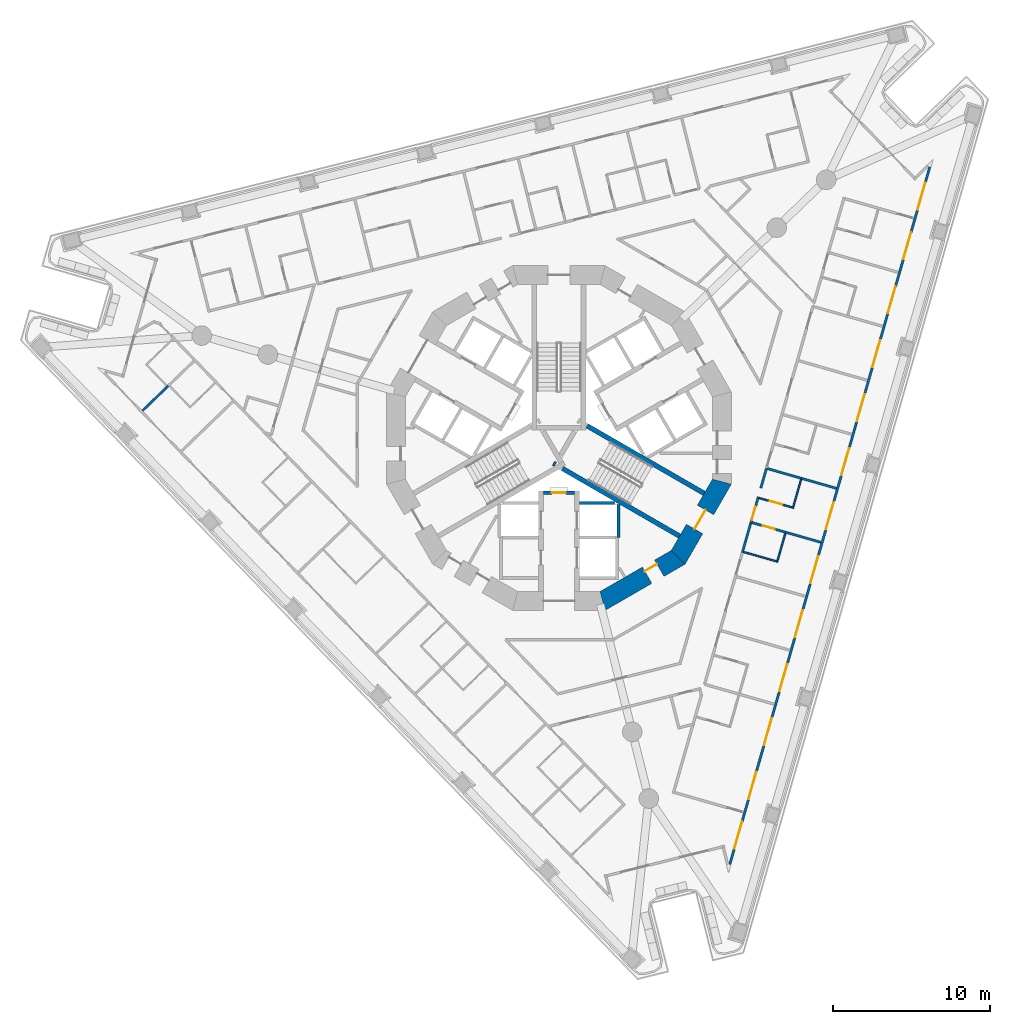
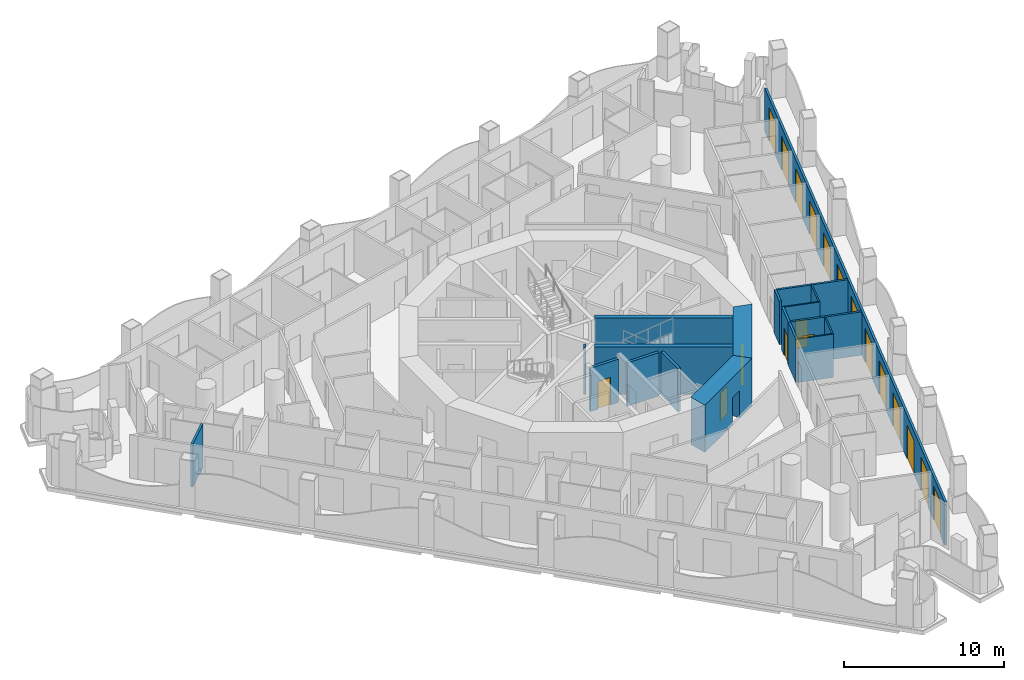
# One storey, part 5 of 19: 20 walls, 19 doors, 19 openings.
"""IFC4 building model written with IfcOpenShell, lengths in metres."""

from ifc_helpers import new_model, si_unit, direction, frame, frame_2d, origin, place, context, subcontext, project, spatial, polyline, rectangle, outline, extrude, material, layer, layer_set, type_object, element, fill, save


model = new_model("IFC4")

# Units and contexts
model_context = context("Model", 3, precision=1e-05, world=origin(), true_north=direction((0.0, 1.0)))
body_context = subcontext(model_context, "Body", "Model", "MODEL_VIEW")
ifc_project = project(units=[si_unit("LENGTHUNIT", "METRE"), si_unit("AREAUNIT", "SQUARE_METRE"), si_unit("VOLUMEUNIT", "CUBIC_METRE"), si_unit("PLANEANGLEUNIT", "RADIAN"), si_unit("MASSUNIT", "GRAM", prefix="KILO")], contexts=[model_context])

# Site, building, storey
site_placement = place(None, origin())
site = spatial("IfcSite", under=ifc_project, at=site_placement, CompositionType="ELEMENT")
building_placement = place(site_placement, origin())
building = spatial("IfcBuilding", under=site, at=building_placement, Name="Trine Commons Tower", CompositionType="ELEMENT")
storey_placement = place(building_placement, frame((0.0, 0.0, 98.10009765625)))
storey = spatial("IfcBuildingStorey", under=building, at=storey_placement, Name="L24", CompositionType="ELEMENT", Elevation=98.10009765625)

# Wall, openings, doors
ifc_material_1 = material(Name="Aluminium-framed insulated wall panel", Category="aluminium")
ifc_layer_1 = layer(ifc_material_1, 0.14990234375)
ifc_layer_set_1 = layer_set([ifc_layer_1], Name="Aluminium-framed insulated wall panel")
wall_type_1 = type_object("IfcWallType", Name="Glazed frame wall 150, EI 60", PredefinedType="SOLIDWALL", material=ifc_layer_set_1)
wall_1_placement = place(storey_placement, frame((103.735107421875, 79.95703125, 0.0), z_axis=(0.0, 0.0, 1.0), x_axis=(-0.275637625225, -0.961261618687, 0.0)))
wall_1 = element("IfcWall", 1, at=wall_1_placement, inside=storey, type_object=wall_type_1, Name="Glazed frame wall F2", PredefinedType="SOLIDWALL", context=body_context, shape_type="SweptSolid", body=[
    extrude(outline(polyline([(0.1494140625, 0.074951171875), (0.1494140625, -0.074951171875), (46.496826171875, -0.074951171875), (46.496826171875, 0.074951171875), (0.1494140625, 0.074951171875)])), origin(), (0.0, 0.0, 1.0), 3.2998046875),
])
opening_1_placement = place(wall_1_placement, frame((1.194091796875, 0.0, 0.0)))
opening_1 = element("IfcOpeningElement", 2, at=opening_1_placement, cuts=wall_1, Name="Opening BD-3F2-01", PredefinedType="OPENING", context=body_context, shape_type="SweptSolid", body=[
    extrude(rectangle(XDim=1.800048828125, YDim=2.60009765625, at=frame_2d((0.89990234375, 1.300048828125))), frame((0.0, 0.0849609375, 0.0), z_axis=(0.0, -1.0, 0.0), x_axis=(1.0, 0.0, 0.0)), (0.0, 0.0, 1.0), 0.169921875),
])
opening_2_placement = place(wall_1_placement, frame((4.482421875, 0.0, 0.0)))
opening_2 = element("IfcOpeningElement", 3, at=opening_2_placement, cuts=wall_1, Name="Opening BD-3F2-02", PredefinedType="OPENING", context=body_context, shape_type="SweptSolid", body=[
    extrude(rectangle(XDim=1.800048828125, YDim=2.60009765625, at=frame_2d((0.89990234375, 1.300048828125))), frame((0.0, 0.0849609375, 0.0), z_axis=(0.0, -1.0, 0.0), x_axis=(1.0, 0.0, 0.0)), (0.0, 0.0, 1.0), 0.169921875),
])
opening_3_placement = place(wall_1_placement, frame((8.070556640625, 0.0, 0.0)))
opening_3 = element("IfcOpeningElement", 4, at=opening_3_placement, cuts=wall_1, Name="Opening BD-3F2-03", PredefinedType="OPENING", context=body_context, shape_type="SweptSolid", body=[
    extrude(rectangle(XDim=1.800048828125, YDim=2.60009765625, at=frame_2d((0.89990234375, 1.300048828125))), frame((0.0, 0.0849609375, 0.0), z_axis=(0.0, -1.0, 0.0), x_axis=(1.0, 0.0, 0.0)), (0.0, 0.0, 1.0), 0.169921875),
])
opening_4_placement = place(wall_1_placement, frame((11.65869140625, 0.0, 0.0)))
opening_4 = element("IfcOpeningElement", 5, at=opening_4_placement, cuts=wall_1, Name="Opening BD-3F2-04", PredefinedType="OPENING", context=body_context, shape_type="SweptSolid", body=[
    extrude(rectangle(XDim=1.800048828125, YDim=2.60009765625, at=frame_2d((0.89990234375, 1.300048828125))), frame((0.0, 0.0849609375, 0.0), z_axis=(0.0, -1.0, 0.0), x_axis=(1.0, 0.0, 0.0)), (0.0, 0.0, 1.0), 0.169921875),
])
opening_5_placement = place(wall_1_placement, frame((15.246826171875, 0.0, 0.0)))
opening_5 = element("IfcOpeningElement", 6, at=opening_5_placement, cuts=wall_1, Name="Opening BD-3F2-05", PredefinedType="OPENING", context=body_context, shape_type="SweptSolid", body=[
    extrude(rectangle(XDim=1.800048828125, YDim=2.60009765625, at=frame_2d((0.89990234375, 1.300048828125))), frame((0.0, 0.0849609375, 0.0), z_axis=(0.0, -1.0, 0.0), x_axis=(1.0, 0.0, 0.0)), (0.0, 0.0, 1.0), 0.169921875),
])
opening_6_placement = place(wall_1_placement, frame((18.835205078125, 0.0, 0.0)))
opening_6 = element("IfcOpeningElement", 7, at=opening_6_placement, cuts=wall_1, Name="Opening BD-3F2-06", PredefinedType="OPENING", context=body_context, shape_type="SweptSolid", body=[
    extrude(rectangle(XDim=1.800048828125, YDim=2.60009765625, at=frame_2d((0.89990234375, 1.300048828125))), frame((0.0, 0.0849609375, 0.0), z_axis=(0.0, -1.0, 0.0), x_axis=(1.0, 0.0, 0.0)), (0.0, 0.0, 1.0), 0.169921875),
])
opening_7_placement = place(wall_1_placement, frame((22.42333984375, 0.0, 0.0)))
opening_7 = element("IfcOpeningElement", 8, at=opening_7_placement, cuts=wall_1, Name="Opening BD-3F2-07", PredefinedType="OPENING", context=body_context, shape_type="SweptSolid", body=[
    extrude(rectangle(XDim=1.800048828125, YDim=2.60009765625, at=frame_2d((0.89990234375, 1.300048828125))), frame((0.0, 0.0849609375, 0.0), z_axis=(0.0, -1.0, 0.0), x_axis=(1.0, 0.0, 0.0)), (0.0, 0.0, 1.0), 0.169921875),
])
opening_8_placement = place(wall_1_placement, frame((26.011474609375, 0.0, 0.0)))
opening_8 = element("IfcOpeningElement", 9, at=opening_8_placement, cuts=wall_1, Name="Opening BD-3F2-08", PredefinedType="OPENING", context=body_context, shape_type="SweptSolid", body=[
    extrude(rectangle(XDim=1.800048828125, YDim=2.60009765625, at=frame_2d((0.89990234375, 1.300048828125))), frame((0.0, 0.0849609375, 0.0), z_axis=(0.0, -1.0, 0.0), x_axis=(1.0, 0.0, 0.0)), (0.0, 0.0, 1.0), 0.169921875),
])
opening_9_placement = place(wall_1_placement, frame((29.599609375, 0.0, 0.0)))
opening_9 = element("IfcOpeningElement", 10, at=opening_9_placement, cuts=wall_1, Name="Opening BD-3F2-09", PredefinedType="OPENING", context=body_context, shape_type="SweptSolid", body=[
    extrude(rectangle(XDim=1.800048828125, YDim=2.60009765625, at=frame_2d((0.89990234375, 1.300048828125))), frame((0.0, 0.0849609375, 0.0), z_axis=(0.0, -1.0, 0.0), x_axis=(1.0, 0.0, 0.0)), (0.0, 0.0, 1.0), 0.169921875),
])
opening_10_placement = place(wall_1_placement, frame((33.18798828125, 0.0, 0.0)))
opening_10 = element("IfcOpeningElement", 11, at=opening_10_placement, cuts=wall_1, Name="Opening BD-3F2-10", PredefinedType="OPENING", context=body_context, shape_type="SweptSolid", body=[
    extrude(rectangle(XDim=1.800048828125, YDim=2.60009765625, at=frame_2d((0.89990234375, 1.300048828125))), frame((0.0, 0.0849609375, 0.0), z_axis=(0.0, -1.0, 0.0), x_axis=(1.0, 0.0, 0.0)), (0.0, 0.0, 1.0), 0.169921875),
])
opening_11_placement = place(wall_1_placement, frame((36.776123046875, 0.0, 0.0)))
opening_11 = element("IfcOpeningElement", 12, at=opening_11_placement, cuts=wall_1, Name="Opening BD-3F2-11", PredefinedType="OPENING", context=body_context, shape_type="SweptSolid", body=[
    extrude(rectangle(XDim=1.800048828125, YDim=2.60009765625, at=frame_2d((0.89990234375, 1.300048828125))), frame((0.0, 0.0849609375, 0.0), z_axis=(0.0, -1.0, 0.0), x_axis=(1.0, 0.0, 0.0)), (0.0, 0.0, 1.0), 0.169921875),
])
opening_12_placement = place(wall_1_placement, frame((40.3642578125, 0.0, 0.0)))
opening_12 = element("IfcOpeningElement", 13, at=opening_12_placement, cuts=wall_1, Name="Opening BD-3F2-12", PredefinedType="OPENING", context=body_context, shape_type="SweptSolid", body=[
    extrude(rectangle(XDim=1.800048828125, YDim=2.60009765625, at=frame_2d((0.89990234375, 1.300048828125))), frame((0.0, 0.0849609375, 0.0), z_axis=(0.0, -1.0, 0.0), x_axis=(1.0, 0.0, 0.0)), (0.0, 0.0, 1.0), 0.169921875),
])
opening_13_placement = place(wall_1_placement, frame((43.652587890625, 0.0, 0.0)))
opening_13 = element("IfcOpeningElement", 14, at=opening_13_placement, cuts=wall_1, Name="Opening BD-3F2-13", PredefinedType="OPENING", context=body_context, shape_type="SweptSolid", body=[
    extrude(rectangle(XDim=1.800048828125, YDim=2.60009765625, at=frame_2d((0.89990234375, 1.300048828125))), frame((0.0, 0.0849609375, 0.0), z_axis=(0.0, -1.0, 0.0), x_axis=(1.0, 0.0, 0.0)), (0.0, 0.0, 1.0), 0.169921875),
])
ifc_material_2 = material(Name="Anodised aluminium frame with double glazing", Category="aluminium")
door_type_1 = type_object("IfcDoorType", Name="Sliding loggia door 1800x2600", OperationType="SLIDING_TO_LEFT", PredefinedType="DOOR", material=ifc_material_2)
door_1_placement = place(opening_1_placement, origin())
door_1 = element("IfcDoor", 15, at=door_1_placement, inside=storey, type_object=door_type_1, Name="Loggia door F2 1", OperationType="SLIDING_TO_LEFT", OverallHeight=2.60009765625, OverallWidth=1.800048828125, PredefinedType="DOOR", context=body_context, shape_type="SweptSolid", body=[
    extrude(rectangle(XDim=1.800048828125, YDim=2.60009765625, at=frame_2d((0.89990234375, 1.300048828125))), frame((0.0, 0.02490234375, 0.0), z_axis=(0.0, -1.0, 0.0), x_axis=(1.0, 0.0, 0.0)), (0.0, 0.0, 1.0), 0.050048828125),
])
fill(opening_1, door_1)
door_2_placement = place(opening_2_placement, origin())
door_2 = element("IfcDoor", 16, at=door_2_placement, inside=storey, type_object=door_type_1, Name="Loggia door F2 2", OperationType="SLIDING_TO_LEFT", OverallHeight=2.60009765625, OverallWidth=1.800048828125, PredefinedType="DOOR", context=body_context, shape_type="SweptSolid", body=[
    extrude(rectangle(XDim=1.800048828125, YDim=2.60009765625, at=frame_2d((0.89990234375, 1.300048828125))), frame((0.0, 0.02490234375, 0.0), z_axis=(0.0, -1.0, 0.0), x_axis=(1.0, 0.0, 0.0)), (0.0, 0.0, 1.0), 0.050048828125),
])
fill(opening_2, door_2)
door_3_placement = place(opening_3_placement, origin())
door_3 = element("IfcDoor", 17, at=door_3_placement, inside=storey, type_object=door_type_1, Name="Loggia door F2 3", OperationType="SLIDING_TO_LEFT", OverallHeight=2.60009765625, OverallWidth=1.800048828125, PredefinedType="DOOR", context=body_context, shape_type="SweptSolid", body=[
    extrude(rectangle(XDim=1.800048828125, YDim=2.60009765625, at=frame_2d((0.89990234375, 1.300048828125))), frame((0.0, 0.02490234375, 0.0), z_axis=(0.0, -1.0, 0.0), x_axis=(1.0, 0.0, 0.0)), (0.0, 0.0, 1.0), 0.050048828125),
])
fill(opening_3, door_3)
door_4_placement = place(opening_4_placement, origin())
door_4 = element("IfcDoor", 18, at=door_4_placement, inside=storey, type_object=door_type_1, Name="Loggia door F2 4", OperationType="SLIDING_TO_LEFT", OverallHeight=2.60009765625, OverallWidth=1.800048828125, PredefinedType="DOOR", context=body_context, shape_type="SweptSolid", body=[
    extrude(rectangle(XDim=1.800048828125, YDim=2.60009765625, at=frame_2d((0.89990234375, 1.300048828125))), frame((0.0, 0.02490234375, 0.0), z_axis=(0.0, -1.0, 0.0), x_axis=(1.0, 0.0, 0.0)), (0.0, 0.0, 1.0), 0.050048828125),
])
fill(opening_4, door_4)
door_5_placement = place(opening_5_placement, origin())
door_5 = element("IfcDoor", 19, at=door_5_placement, inside=storey, type_object=door_type_1, Name="Loggia door F2 5", OperationType="SLIDING_TO_LEFT", OverallHeight=2.60009765625, OverallWidth=1.800048828125, PredefinedType="DOOR", context=body_context, shape_type="SweptSolid", body=[
    extrude(rectangle(XDim=1.800048828125, YDim=2.60009765625, at=frame_2d((0.89990234375, 1.300048828125))), frame((0.0, 0.02490234375, 0.0), z_axis=(0.0, -1.0, 0.0), x_axis=(1.0, 0.0, 0.0)), (0.0, 0.0, 1.0), 0.050048828125),
])
fill(opening_5, door_5)
door_6_placement = place(opening_6_placement, origin())
door_6 = element("IfcDoor", 20, at=door_6_placement, inside=storey, type_object=door_type_1, Name="Loggia door F2 6", OperationType="SLIDING_TO_LEFT", OverallHeight=2.60009765625, OverallWidth=1.800048828125, PredefinedType="DOOR", context=body_context, shape_type="SweptSolid", body=[
    extrude(rectangle(XDim=1.800048828125, YDim=2.60009765625, at=frame_2d((0.89990234375, 1.300048828125))), frame((0.0, 0.02490234375, 0.0), z_axis=(0.0, -1.0, 0.0), x_axis=(1.0, 0.0, 0.0)), (0.0, 0.0, 1.0), 0.050048828125),
])
fill(opening_6, door_6)
door_7_placement = place(opening_7_placement, origin())
door_7 = element("IfcDoor", 21, at=door_7_placement, inside=storey, type_object=door_type_1, Name="Loggia door F2 7", OperationType="SLIDING_TO_LEFT", OverallHeight=2.60009765625, OverallWidth=1.800048828125, PredefinedType="DOOR", context=body_context, shape_type="SweptSolid", body=[
    extrude(rectangle(XDim=1.800048828125, YDim=2.60009765625, at=frame_2d((0.89990234375, 1.300048828125))), frame((0.0, 0.02490234375, 0.0), z_axis=(0.0, -1.0, 0.0), x_axis=(1.0, 0.0, 0.0)), (0.0, 0.0, 1.0), 0.050048828125),
])
fill(opening_7, door_7)
door_8_placement = place(opening_8_placement, origin())
door_8 = element("IfcDoor", 22, at=door_8_placement, inside=storey, type_object=door_type_1, Name="Loggia door F2 8", OperationType="SLIDING_TO_LEFT", OverallHeight=2.60009765625, OverallWidth=1.800048828125, PredefinedType="DOOR", context=body_context, shape_type="SweptSolid", body=[
    extrude(rectangle(XDim=1.800048828125, YDim=2.60009765625, at=frame_2d((0.89990234375, 1.300048828125))), frame((0.0, 0.02490234375, 0.0), z_axis=(0.0, -1.0, 0.0), x_axis=(1.0, 0.0, 0.0)), (0.0, 0.0, 1.0), 0.050048828125),
])
fill(opening_8, door_8)
door_9_placement = place(opening_9_placement, origin())
door_9 = element("IfcDoor", 23, at=door_9_placement, inside=storey, type_object=door_type_1, Name="Loggia door F2 9", OperationType="SLIDING_TO_LEFT", OverallHeight=2.60009765625, OverallWidth=1.800048828125, PredefinedType="DOOR", context=body_context, shape_type="SweptSolid", body=[
    extrude(rectangle(XDim=1.800048828125, YDim=2.60009765625, at=frame_2d((0.89990234375, 1.300048828125))), frame((0.0, 0.02490234375, 0.0), z_axis=(0.0, -1.0, 0.0), x_axis=(1.0, 0.0, 0.0)), (0.0, 0.0, 1.0), 0.050048828125),
])
fill(opening_9, door_9)
door_10_placement = place(opening_10_placement, origin())
door_10 = element("IfcDoor", 24, at=door_10_placement, inside=storey, type_object=door_type_1, Name="Loggia door F2 10", OperationType="SLIDING_TO_LEFT", OverallHeight=2.60009765625, OverallWidth=1.800048828125, PredefinedType="DOOR", context=body_context, shape_type="SweptSolid", body=[
    extrude(rectangle(XDim=1.800048828125, YDim=2.60009765625, at=frame_2d((0.89990234375, 1.300048828125))), frame((0.0, 0.02490234375, 0.0), z_axis=(0.0, -1.0, 0.0), x_axis=(1.0, 0.0, 0.0)), (0.0, 0.0, 1.0), 0.050048828125),
])
fill(opening_10, door_10)
door_11_placement = place(opening_11_placement, origin())
door_11 = element("IfcDoor", 25, at=door_11_placement, inside=storey, type_object=door_type_1, Name="Loggia door F2 11", OperationType="SLIDING_TO_LEFT", OverallHeight=2.60009765625, OverallWidth=1.800048828125, PredefinedType="DOOR", context=body_context, shape_type="SweptSolid", body=[
    extrude(rectangle(XDim=1.800048828125, YDim=2.60009765625, at=frame_2d((0.89990234375, 1.300048828125))), frame((0.0, 0.02490234375, 0.0), z_axis=(0.0, -1.0, 0.0), x_axis=(1.0, 0.0, 0.0)), (0.0, 0.0, 1.0), 0.050048828125),
])
fill(opening_11, door_11)
door_12_placement = place(opening_12_placement, origin())
door_12 = element("IfcDoor", 26, at=door_12_placement, inside=storey, type_object=door_type_1, Name="Loggia door F2 12", OperationType="SLIDING_TO_LEFT", OverallHeight=2.60009765625, OverallWidth=1.800048828125, PredefinedType="DOOR", context=body_context, shape_type="SweptSolid", body=[
    extrude(rectangle(XDim=1.800048828125, YDim=2.60009765625, at=frame_2d((0.89990234375, 1.300048828125))), frame((0.0, 0.02490234375, 0.0), z_axis=(0.0, -1.0, 0.0), x_axis=(1.0, 0.0, 0.0)), (0.0, 0.0, 1.0), 0.050048828125),
])
fill(opening_12, door_12)
door_13_placement = place(opening_13_placement, origin())
door_13 = element("IfcDoor", 27, at=door_13_placement, inside=storey, type_object=door_type_1, Name="Loggia door F2 13", OperationType="SLIDING_TO_LEFT", OverallHeight=2.60009765625, OverallWidth=1.800048828125, PredefinedType="DOOR", context=body_context, shape_type="SweptSolid", body=[
    extrude(rectangle(XDim=1.800048828125, YDim=2.60009765625, at=frame_2d((0.89990234375, 1.300048828125))), frame((0.0, 0.02490234375, 0.0), z_axis=(0.0, -1.0, 0.0), x_axis=(1.0, 0.0, 0.0)), (0.0, 0.0, 1.0), 0.050048828125),
])
fill(opening_13, door_13)

# Wall, opening, door
ifc_material_3 = material(Name="Fire-rated gypsum shaft wall system")
ifc_layer_2 = layer(ifc_material_3, 0.199951171875)
ifc_layer_set_2 = layer_set([ifc_layer_2], Name="Fire-rated gypsum shaft wall system")
wall_type_2 = type_object("IfcWallType", Name="Lobby end wall 200 mm, EI 120", PredefinedType="PARTITIONING", material=ifc_layer_set_2)
wall_2_placement = place(storey_placement, frame((79.0, 59.0, 0.0), z_axis=(0.0, 0.0, 1.0), x_axis=(1.0, 0.0, 0.0)))
wall_2 = element("IfcWall", 28, at=wall_2_placement, inside=storey, type_object=wall_type_2, Name="Lobby end wall L24", PredefinedType="PARTITIONING", context=body_context, shape_type="SweptSolid", body=[
    extrude(rectangle(XDim=2.0, YDim=0.199951171875, at=frame_2d((1.0, 0.0))), origin(), (0.0, 0.0, 1.0), 3.2998046875),
])
opening_14_placement = place(wall_2_placement, frame((0.550048828125, 0.0, 0.0)))
opening_14 = element("IfcOpeningElement", 29, at=opening_14_placement, cuts=wall_2, Name="Opening K07.09", PredefinedType="OPENING", context=body_context, shape_type="SweptSolid", body=[
    extrude(rectangle(XDim=0.89990234375, YDim=2.10009765625, at=frame_2d((0.449951171875, 1.050048828125))), frame((0.0, 0.10986328125, 0.0), z_axis=(0.0, -1.0, 0.0), x_axis=(1.0, 0.0, 0.0)), (0.0, 0.0, 1.0), 0.219970703125),
])
ifc_material_4 = material(Name="Steel door leaf, fire-rated", Category="steel")
door_type_2 = type_object("IfcDoorType", Name="Riser access door, single leaf 900 x 2100, FD60", OperationType="SINGLE_SWING_LEFT", PredefinedType="DOOR", material=ifc_material_4)
door_14_placement = place(opening_14_placement, frame((0.89990234375, 0.0, 0.0), z_axis=(0.0, 0.0, 1.0), x_axis=(-1.0, 0.0, 0.0)))
door_14 = element("IfcDoor", 30, at=door_14_placement, inside=storey, type_object=door_type_2, Name="Riser door, Communications riser L24", OperationType="SINGLE_SWING_RIGHT", OverallHeight=2.10009765625, OverallWidth=0.89990234375, PredefinedType="DOOR", context=body_context, shape_type="SweptSolid", body=[
    extrude(rectangle(XDim=0.89990234375, YDim=2.10009765625, at=frame_2d((0.449951171875, 1.050048828125))), frame((0.0, 0.02490234375, 0.0), z_axis=(0.0, -1.0, 0.0), x_axis=(1.0, 0.0, 0.0)), (0.0, 0.0, 1.0), 0.050048828125),
])
fill(opening_14, door_14)

ifc_material_5 = material(Name="Concrete C70/85", Category="concrete")
ifc_layer_3 = layer(ifc_material_5, 1.199951171875)
ifc_layer_set_3 = layer_set([ifc_layer_3], Name="Concrete C70/85")
wall_type_3 = type_object("IfcWallType", Name="RC shear wall 1200 mm, C70/85", PredefinedType="SHEAR", material=ifc_layer_set_3)
wall_3_placement = place(storey_placement, frame((82.650390625, 52.008056640625, 0.0), z_axis=(0.0, 0.0, 1.0), x_axis=(0.866037463336, 0.499979111662, 0.0)))
wall_3 = element("IfcWall", 31, at=wall_3_placement, inside=storey, type_object=wall_type_3, Name="Core wall CWC-11 L24", PredefinedType="SHEAR", context=body_context, shape_type="SweptSolid", body=[
    extrude(outline(polyline([(0.0, -0.60009765625), (5.901123046875, -0.60009765625), (5.57958984375, 0.60009765625), (0.321533203125, 0.60009765625), (0.0, -0.60009765625)])), origin(), (0.0, 0.0, 1.0), 3.599853515625),
])
opening_15_placement = place(wall_3_placement, frame((3.44677734375, 0.0, 0.0)))
opening_15 = element("IfcOpeningElement", 32, at=opening_15_placement, cuts=wall_3, Name="Opening K07.17", PredefinedType="OPENING", context=body_context, shape_type="SweptSolid", body=[
    extrude(rectangle(XDim=0.89990234375, YDim=2.10009765625, at=frame_2d((0.449951171875, 1.050048828125))), frame((0.0, 0.60986328125, 0.0), z_axis=(0.0, -1.0, 0.0), x_axis=(1.0, 0.0, 0.0)), (0.0, 0.0, 1.0), 1.219970703125),
])
door_type_3 = type_object("IfcDoorType", Name="Core room door, single leaf 900 x 2100, FD30S", OperationType="SINGLE_SWING_LEFT", PredefinedType="DOOR", material=ifc_material_4)
door_15_placement = place(opening_15_placement, origin())
door_15 = element("IfcDoor", 33, at=door_15_placement, inside=storey, type_object=door_type_3, Name="Door to Pantry L24", OperationType="SINGLE_SWING_RIGHT", OverallHeight=2.10009765625, OverallWidth=0.89990234375, PredefinedType="DOOR", context=body_context, shape_type="SweptSolid", body=[
    extrude(rectangle(XDim=0.89990234375, YDim=2.10009765625, at=frame_2d((0.449951171875, 1.050048828125))), frame((0.0, 0.3251953125, 0.0), z_axis=(0.0, -1.0, 0.0), x_axis=(1.0, 0.0, 0.0)), (0.0, 0.0, 1.0), 0.050048828125),
])
fill(opening_15, door_15)

wall_4_placement = place(storey_placement, frame((87.54150390625, 54.739013671875, 0.0), z_axis=(0.0, 0.0, 1.0), x_axis=(0.499979111662, 0.866037463336, 0.0)))
wall_4 = element("IfcWall", 34, at=wall_4_placement, inside=storey, type_object=wall_type_3, Name="Core wall CWC-12 L24", PredefinedType="SHEAR", context=body_context, shape_type="SweptSolid", body=[
    extrude(outline(polyline([(0.0, -0.60009765625), (5.901123046875, -0.60009765625), (5.57958984375, 0.60009765625), (0.321533203125, 0.60009765625), (0.0, -0.60009765625)])), origin(), (0.0, 0.0, 1.0), 3.599853515625),
])
opening_16_placement = place(wall_4_placement, frame((2.25048828125, 0.0, 0.0)))
opening_16 = element("IfcOpeningElement", 35, at=opening_16_placement, cuts=wall_4, Name="Opening K07.03", PredefinedType="OPENING", context=body_context, shape_type="SweptSolid", body=[
    extrude(rectangle(XDim=1.39990234375, YDim=2.10009765625, at=frame_2d((0.699951171875, 1.050048828125))), frame((0.0, 0.60986328125, 0.0), z_axis=(0.0, -1.0, 0.0), x_axis=(1.0, 0.0, 0.0)), (0.0, 0.0, 1.0), 1.219970703125),
])
ifc_material_6 = material(Name="Steel door leaves, fire-rated", Category="steel")
door_type_4 = type_object("IfcDoorType", Name="Stair door, double leaf 1400 x 2100, FD90", OperationType="DOUBLE_DOOR_SINGLE_SWING", PredefinedType="DOOR", material=ifc_material_6)
door_16_placement = place(opening_16_placement, origin())
door_16 = element("IfcDoor", 36, at=door_16_placement, inside=storey, type_object=door_type_4, Name="Stair door to Exit stair ST3A L24", OperationType="DOUBLE_DOOR_SINGLE_SWING", OverallHeight=2.10009765625, OverallWidth=1.39990234375, PredefinedType="DOOR", context=body_context, shape_type="SweptSolid", body=[
    extrude(rectangle(XDim=1.39990234375, YDim=2.10009765625, at=frame_2d((0.699951171875, 1.050048828125))), frame((0.0, 0.02490234375, 0.0), z_axis=(0.0, -1.0, 0.0), x_axis=(1.0, 0.0, 0.0)), (0.0, 0.0, 1.0), 0.050048828125),
])
fill(opening_16, door_16)

# Walls
ifc_layer_4 = layer(ifc_material_5, 0.300048828125)
ifc_layer_set_4 = layer_set([ifc_layer_4], Name="Concrete C70/85")
wall_type_4 = type_object("IfcWallType", Name="RC shear wall 300 mm, C70/85", PredefinedType="SHEAR", material=ifc_layer_set_4)
wall_5_placement = place(storey_placement, frame((79.64599609375, 60.885986328125, 0.0), z_axis=(0.0, 0.0, 1.0), x_axis=(0.867331893649, -0.497730234424, 0.0)))
element("IfcWall", 37, at=wall_5_placement, inside=storey, type_object=wall_type_4, Name="Core cross wall SWA-11 L24", PredefinedType="SHEAR", context=body_context, shape_type="SweptSolid", body=[
    extrude(rectangle(XDim=0.148681640625, YDim=0.300048828125, at=frame_2d((0.07421875, 0.0))), origin(), (0.0, 0.0, 1.0), 3.599853515625),
])
for number, where, z_axis, x_axis, name in (
    (38, (80.22509765625, 60.552001953125, 0.0), (0.0, 0.0, 1.0), (0.865965399159, -0.500103916661, 0.0), "Core cross wall SWA-13 L24"),
    (39, (81.800048828125, 63.280029296875, 0.0), (0.0, 0.0, 1.0), (0.865965399159, -0.500103916661, 0.0), "Core cross wall SWA-18 L24"),
):
    element("IfcWall", number, at=place(storey_placement, frame(where, z_axis=z_axis, x_axis=x_axis)), inside=storey, type_object=wall_type_4, Name=name, PredefinedType="SHEAR", context=body_context, shape_type="SweptSolid", body=[
        extrude(rectangle(XDim=8.642333984375, YDim=0.300048828125, at=frame_2d((4.3212890625, 0.0))), origin(), (0.0, 0.0, 1.0), 3.599853515625),
    ])
ifc_layer_5 = layer(ifc_material_3, 0.199951171875)
ifc_layer_set_5 = layer_set([ifc_layer_5], Name="Fire-rated gypsum shaft wall system")
wall_type_5 = type_object("IfcWallType", Name="Shaft wall 200 mm, EI 120", PredefinedType="PARTITIONING", material=ifc_layer_set_5)
wall_6_placement = place(storey_placement, frame((81.300048828125, 58.35009765625, 0.0), z_axis=(0.0, 0.0, 1.0), x_axis=(1.0, 0.0, 0.0)))
element("IfcWall", 40, at=wall_6_placement, inside=storey, type_object=wall_type_5, Name="Shaft wall L24", PredefinedType="PARTITIONING", context=body_context, shape_type="SweptSolid", body=[
    extrude(rectangle(XDim=2.264892578125, YDim=0.199951171875, at=frame_2d((1.13232421875, 0.0))), origin(), (0.0, 0.0, 1.0), 3.2998046875),
])
wall_7_placement = place(storey_placement, frame((83.800048828125, 58.256103515625, 0.0), z_axis=(0.0, 0.0, 1.0), x_axis=(0.0, -1.0, 0.0)))
element("IfcWall", 41, at=wall_7_placement, inside=storey, type_object=wall_type_5, Name="Shaft wall L24", PredefinedType="PARTITIONING", context=body_context, shape_type="SweptSolid", body=[
    extrude(rectangle(XDim=2.106201171875, YDim=0.199951171875, at=frame_2d((1.05322265625, 0.0))), origin(), (0.0, 0.0, 1.0), 3.2998046875),
])
ifc_material_7 = material(Name="Gypsum plasterboard on steel stud", Category="steel")
ifc_layer_6 = layer(ifc_material_7, 0.14990234375)
ifc_layer_set_6 = layer_set([ifc_layer_6], Name="Gypsum plasterboard on steel stud")
wall_type_6 = type_object("IfcWallType", Name="Unit and corridor wall 150 mm, EI 60", PredefinedType="PARTITIONING", material=ifc_layer_set_6)
wall_8_placement = place(storey_placement, frame((53.393798828125, 64.24169921875, 0.0), z_axis=(0.0, 0.0, 1.0), x_axis=(0.719519490092, 0.694472248098, 0.0)))
element("IfcWall", 42, at=wall_8_placement, inside=storey, type_object=wall_type_6, Name="Partition 002", PredefinedType="PARTITIONING", context=body_context, shape_type="SweptSolid", body=[
    extrude(rectangle(XDim=2.28076171875, YDim=0.14990234375, at=frame_2d((1.140380859375, 0.0))), origin(), (0.0, 0.0, 1.0), 3.2998046875),
])
wall_9_placement = place(storey_placement, frame((91.72021484375, 55.18798828125, 0.0), z_axis=(0.0, 0.0, 1.0), x_axis=(0.275331431245, 0.961349365719, 0.0)))
element("IfcWall", 43, at=wall_9_placement, inside=storey, type_object=wall_type_6, Name="Partition 120", PredefinedType="PARTITIONING", context=body_context, shape_type="SweptSolid", body=[
    extrude(rectangle(XDim=2.007568359375, YDim=0.14990234375, at=frame_2d((1.00390625, 0.0))), origin(), (0.0, 0.0, 1.0), 3.2998046875),
])

# Wall, opening, door
wall_10_placement = place(storey_placement, frame((92.250244140625, 57.037841796875, 0.0), z_axis=(0.0, 0.0, 1.0), x_axis=(0.275685406423, 0.961247916349, 0.0)))
wall_10 = element("IfcWall", 44, at=wall_10_placement, inside=storey, type_object=wall_type_6, Name="Partition 122", PredefinedType="PARTITIONING", context=body_context, shape_type="SweptSolid", body=[
    extrude(rectangle(XDim=1.77197265625, YDim=0.14990234375, at=frame_2d((0.885986328125, 0.0))), origin(), (0.0, 0.0, 1.0), 3.2998046875),
])
opening_17_placement = place(wall_10_placement, frame((0.22900390625, 0.0, 0.0)))
opening_17 = element("IfcOpeningElement", 45, at=opening_17_placement, cuts=wall_10, Name="Opening D-3B21", PredefinedType="OPENING", context=body_context, shape_type="SweptSolid", body=[
    extrude(rectangle(XDim=0.89990234375, YDim=2.10009765625, at=frame_2d((0.449951171875, 1.050048828125))), frame((0.0, 0.0849609375, 0.0), z_axis=(0.0, -1.0, 0.0), x_axis=(1.0, 0.0, 0.0)), (0.0, 0.0, 1.0), 0.169921875),
])
ifc_material_8 = material(Name="Timber fire door set", Category="wood")
door_type_5 = type_object("IfcDoorType", Name="Bedroom door 900 x 2100, FD30S", OperationType="NOTDEFINED", PredefinedType="DOOR", material=ifc_material_8)
door_17_placement = place(opening_17_placement, frame((0.89990234375, 0.0, 0.0), z_axis=(0.0, 0.0, 1.0), x_axis=(-1.0, 0.0, 0.0)))
door_17 = element("IfcDoor", 46, at=door_17_placement, inside=storey, type_object=door_type_5, Name="Door D-3B21", OperationType="SINGLE_SWING_RIGHT", OverallHeight=2.10009765625, OverallWidth=0.89990234375, PredefinedType="DOOR", context=body_context, shape_type="SweptSolid", body=[
    extrude(rectangle(XDim=0.89990234375, YDim=2.10009765625, at=frame_2d((0.449951171875, 1.050048828125))), frame((0.0, 0.02490234375, 0.0), z_axis=(0.0, -1.0, 0.0), x_axis=(1.0, 0.0, 0.0)), (0.0, 0.0, 1.0), 0.050048828125),
])
fill(opening_17, door_17)

wall_11_placement = place(storey_placement, frame((92.343994140625, 57.09326171875, 0.0), z_axis=(0.0, 0.0, 1.0), x_axis=(0.961269673231, -0.275609534171, 0.0)))
wall_11 = element("IfcWall", 47, at=wall_11_placement, inside=storey, type_object=wall_type_6, Name="Partition 123", PredefinedType="PARTITIONING", context=body_context, shape_type="SweptSolid", body=[
    extrude(rectangle(XDim=4.572509765625, YDim=0.14990234375, at=frame_2d((2.2861328125, 0.0))), origin(), (0.0, 0.0, 1.0), 3.2998046875),
])
opening_18_placement = place(wall_11_placement, frame((0.712646484375, 0.0, 0.0)))
opening_18 = element("IfcOpeningElement", 48, at=opening_18_placement, cuts=wall_11, Name="Opening D-3B55", PredefinedType="OPENING", context=body_context, shape_type="SweptSolid", body=[
    extrude(rectangle(XDim=0.800048828125, YDim=2.10009765625, at=frame_2d((0.39990234375, 1.050048828125))), frame((0.0, 0.0849609375, 0.0), z_axis=(0.0, -1.0, 0.0), x_axis=(1.0, 0.0, 0.0)), (0.0, 0.0, 1.0), 0.169921875),
])
ifc_material_9 = material(Name="Painted timber", Category="wood")
door_type_6 = type_object("IfcDoorType", Name="Internal door 800 x 2100, NOT RATED", OperationType="NOTDEFINED", PredefinedType="DOOR", material=ifc_material_9)
door_18_placement = place(opening_18_placement, origin())
door_18 = element("IfcDoor", 49, at=door_18_placement, inside=storey, type_object=door_type_6, Name="Door D-3B55", OperationType="SINGLE_SWING_LEFT", OverallHeight=2.10009765625, OverallWidth=0.800048828125, PredefinedType="DOOR", context=body_context, shape_type="SweptSolid", body=[
    extrude(rectangle(XDim=0.800048828125, YDim=2.10009765625, at=frame_2d((0.39990234375, 1.050048828125))), frame((0.0, 0.02490234375, 0.0), z_axis=(0.0, -1.0, 0.0), x_axis=(1.0, 0.0, 0.0)), (0.0, 0.0, 1.0), 0.050048828125),
])
fill(opening_18, door_18)

# Walls
wall_12_placement = place(storey_placement, frame((92.89892578125, 59.299072265625, 0.0), z_axis=(0.0, 0.0, 1.0), x_axis=(0.275722362281, 0.961237316659, 0.0)))
element("IfcWall", 50, at=wall_12_placement, inside=storey, type_object=wall_type_6, Name="Partition 127", PredefinedType="PARTITIONING", context=body_context, shape_type="SweptSolid", body=[
    extrude(rectangle(XDim=1.3203125, YDim=0.14990234375, at=frame_2d((0.66015625, 0.0))), origin(), (0.0, 0.0, 1.0), 3.2998046875),
])
wall_13_placement = place(storey_placement, frame((93.3330078125, 60.543212890625, 0.0), z_axis=(0.0, 0.0, 1.0), x_axis=(0.96127791106, -0.275580800688, 0.0)))
element("IfcWall", 51, at=wall_13_placement, inside=storey, type_object=wall_type_6, Name="Partition 129", PredefinedType="PARTITIONING", context=body_context, shape_type="SweptSolid", body=[
    extrude(rectangle(XDim=2.250244140625, YDim=0.14990234375, at=frame_2d((1.125, 0.0))), origin(), (0.0, 0.0, 1.0), 3.2998046875),
])
wall_14_placement = place(storey_placement, frame((95.43994140625, 59.938720703125, 0.0), z_axis=(0.0, 0.0, 1.0), x_axis=(0.961314697261, -0.275452451125, 0.0)))
element("IfcWall", 52, at=wall_14_placement, inside=storey, type_object=wall_type_6, Name="Partition 141", PredefinedType="PARTITIONING", context=body_context, shape_type="SweptSolid", body=[
    extrude(rectangle(XDim=2.380615234375, YDim=0.14990234375, at=frame_2d((1.1904296875, 0.0))), origin(), (0.0, 0.0, 1.0), 3.2998046875),
])
ifc_layer_7 = layer(ifc_material_7, 0.10009765625)
ifc_layer_set_7 = layer_set([ifc_layer_7], Name="Gypsum plasterboard on steel stud")
wall_type_7 = type_object("IfcWallType", Name="Unit partition 100 mm, no rating", PredefinedType="PARTITIONING", material=ifc_layer_set_7)
wall_15_placement = place(storey_placement, frame((91.80615234375, 55.21923828125, 0.0), z_axis=(0.0, 0.0, 1.0), x_axis=(0.961280606162, -0.275571399489, 0.0)))
element("IfcWall", 53, at=wall_15_placement, inside=storey, type_object=wall_type_7, Name="Partition 121", PredefinedType="PARTITIONING", context=body_context, shape_type="SweptSolid", body=[
    extrude(rectangle(XDim=2.275146484375, YDim=0.10009765625, at=frame_2d((1.1376953125, 0.0))), origin(), (0.0, 0.0, 1.0), 3.2998046875),
])

# Wall, opening, door
wall_16_placement = place(storey_placement, frame((92.795166015625, 58.668212890625, 0.0), z_axis=(0.0, 0.0, 1.0), x_axis=(0.961270855658, -0.275605410075, 0.0)))
wall_16 = element("IfcWall", 54, at=wall_16_placement, inside=storey, type_object=wall_type_7, Name="Partition 125", PredefinedType="PARTITIONING", context=body_context, shape_type="SweptSolid", body=[
    extrude(rectangle(XDim=2.296875, YDim=0.10009765625, at=frame_2d((1.1484375, 0.0))), origin(), (0.0, 0.0, 1.0), 3.2998046875),
])
opening_19_placement = place(wall_16_placement, frame((0.723388671875, 0.0, 0.0)))
opening_19 = element("IfcOpeningElement", 55, at=opening_19_placement, cuts=wall_16, Name="Opening D-3B54", PredefinedType="OPENING", context=body_context, shape_type="SweptSolid", body=[
    extrude(rectangle(XDim=0.800048828125, YDim=2.10009765625, at=frame_2d((0.39990234375, 1.050048828125))), frame((0.0, 0.06005859375, 0.0), z_axis=(0.0, -1.0, 0.0), x_axis=(1.0, 0.0, 0.0)), (0.0, 0.0, 1.0), 0.1201171875),
])
door_19_placement = place(opening_19_placement, frame((0.800048828125, 0.0, 0.0), z_axis=(0.0, 0.0, 1.0), x_axis=(-1.0, 0.0, 0.0)))
door_19 = element("IfcDoor", 56, at=door_19_placement, inside=storey, type_object=door_type_6, Name="Door D-3B54", OperationType="SINGLE_SWING_RIGHT", OverallHeight=2.10009765625, OverallWidth=0.800048828125, PredefinedType="DOOR", context=body_context, shape_type="SweptSolid", body=[
    extrude(rectangle(XDim=0.800048828125, YDim=2.10009765625, at=frame_2d((0.39990234375, 1.050048828125))), frame((0.0, 0.02490234375, 0.0), z_axis=(0.0, -1.0, 0.0), x_axis=(1.0, 0.0, 0.0)), (0.0, 0.0, 1.0), 0.050048828125),
])
fill(opening_19, door_19)

# Walls
wall_17_placement = place(storey_placement, frame((93.958740234375, 54.654052734375, 0.0), z_axis=(0.0, 0.0, 1.0), x_axis=(0.276010827841, 0.961154526034, 0.0)))
element("IfcWall", 57, at=wall_17_placement, inside=storey, type_object=wall_type_7, Name="Partition 134", PredefinedType="PARTITIONING", context=body_context, shape_type="SweptSolid", body=[
    extrude(rectangle(XDim=1.82470703125, YDim=0.10009765625, at=frame_2d((0.912353515625, 0.0))), origin(), (0.0, 0.0, 1.0), 3.2998046875),
])
wall_18_placement = place(storey_placement, frame((94.96875, 58.09716796875, 0.0), z_axis=(0.0, 0.0, 1.0), x_axis=(0.275410043063, 0.961326847737, 0.0)))
element("IfcWall", 58, at=wall_18_placement, inside=storey, type_object=wall_type_7, Name="Partition 138", PredefinedType="PARTITIONING", context=body_context, shape_type="SweptSolid", body=[
    extrude(rectangle(XDim=1.8251953125, YDim=0.10009765625, at=frame_2d((0.91259765625, 0.0))), origin(), (0.0, 0.0, 1.0), 3.2998046875),
])

save(model, "model.ifc")
